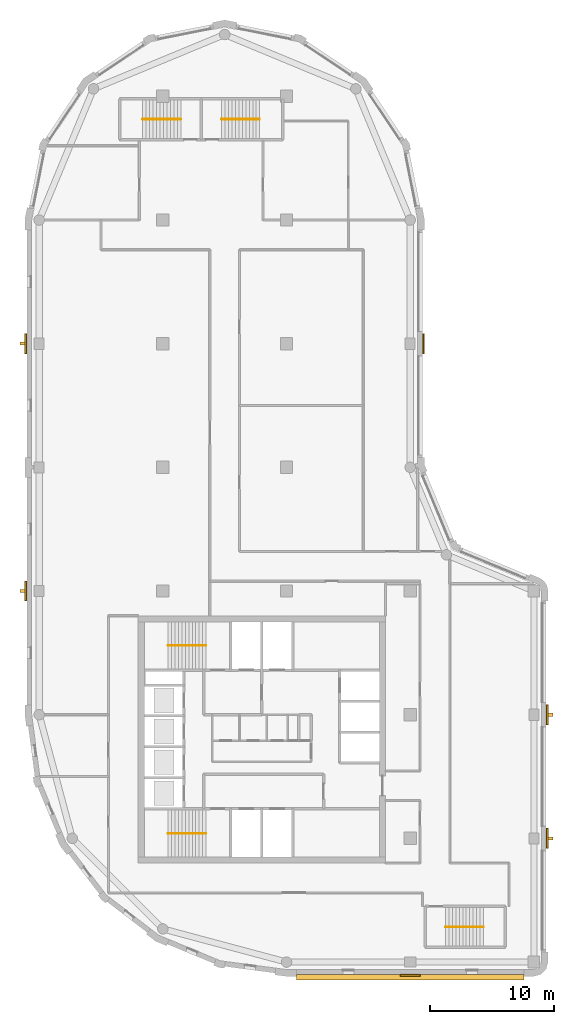
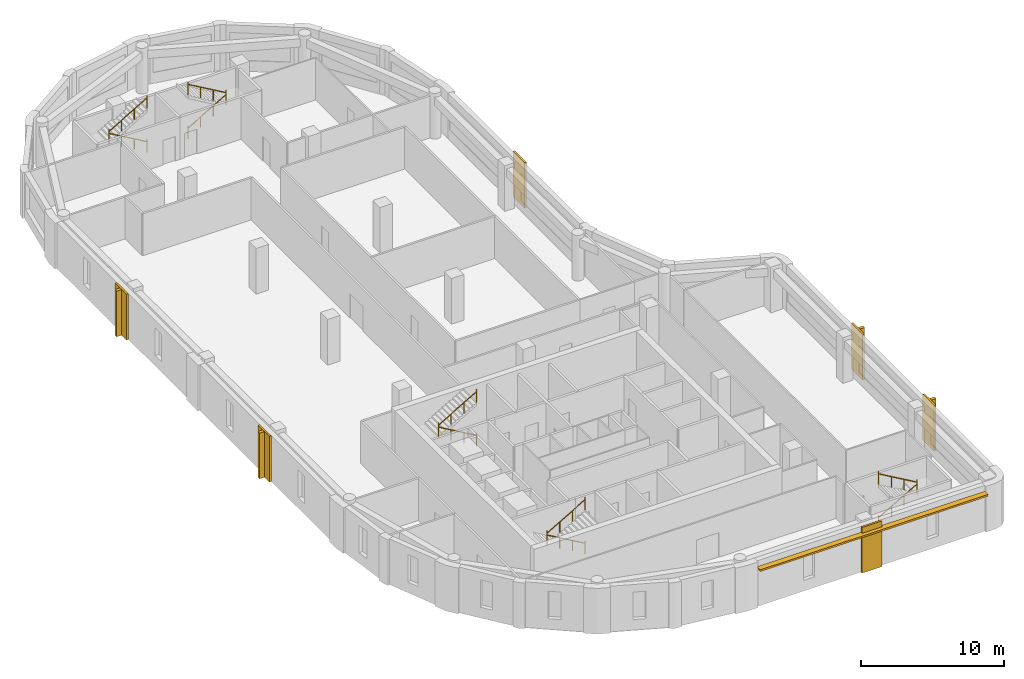
# One storey, part 7 of 8: 10 railings, 6 coverings, 5 shading devices.
"""IFC4 building model written with IfcOpenShell, lengths in metres."""

from ifc_helpers import new_model, si_unit, direction, frame, origin, origin_2d, place, context, subcontext, project, spatial, polyline, rectangle, circle, outline, extrude, material, layer, layer_set, type_object, element, save


model = new_model("IFC4")

# Units and contexts
model_context = context("Model", 3, precision=1e-05, world=origin(), true_north=direction((0.0, 1.0)))
body_context = subcontext(model_context, "Body", "Model", "MODEL_VIEW")
ifc_project = project(units=[si_unit("LENGTHUNIT", "METRE"), si_unit("AREAUNIT", "SQUARE_METRE"), si_unit("VOLUMEUNIT", "CUBIC_METRE"), si_unit("PLANEANGLEUNIT", "RADIAN"), si_unit("MASSUNIT", "GRAM", prefix="KILO")], contexts=[model_context])

# Site, building, storey
site_placement = place(None, origin())
site = spatial("IfcSite", under=ifc_project, at=site_placement, CompositionType="ELEMENT")
building_placement = place(site_placement, origin())
building = spatial("IfcBuilding", under=site, at=building_placement, Name="Qaws Garden Tower", CompositionType="ELEMENT")
storey_placement = place(building_placement, frame((0.0, 0.0, 345.0)))
storey = spatial("IfcBuildingStorey", under=building, at=storey_placement, Name="L84", CompositionType="ELEMENT", Elevation=345.0)

# Coverings
ifc_material_1 = material(Name="Clay facing brick masonry", Category="masonry")
ifc_layer_1 = layer(ifc_material_1, 0.14990234375)
ifc_layer_set_1 = layer_set([ifc_layer_1], Name="Clay facing brick masonry")
covering_type = type_object("IfcCoveringType", Name="Brick pilaster facing 150 x 1600", PredefinedType="CLADDING", material=ifc_layer_set_1)
placement = place(storey_placement, origin())
element("IfcCovering", 1, at=placement, inside=storey, type_object=covering_type, Name="E-L84-pier-01", PredefinedType="CLADDING", context=body_context, shape_type="SweptSolid", body=[
    extrude(outline(polyline([(29.199951171875, -1.0), (30.800048828125, -1.0), (30.800048828125, -1.14990234375), (29.199951171875, -1.14990234375), (29.199951171875, -1.0)])), origin(), (0.0, 0.0, 1.0), 3.89990234375),
])
element("IfcCovering", 2, at=placement, inside=storey, type_object=covering_type, Name="E-L84-pier-03", PredefinedType="CLADDING", context=body_context, shape_type="SweptSolid", body=[
    extrude(outline(polyline([(41.0, 9.199951171875), (41.0, 10.800048828125), (41.14990234375, 10.800048828125), (41.14990234375, 9.199951171875), (41.0, 9.199951171875)])), origin(), (0.0, 0.0, 1.0), 3.89990234375),
])
element("IfcCovering", 3, at=placement, inside=storey, type_object=covering_type, Name="E-L84-pier-04", PredefinedType="CLADDING", context=body_context, shape_type="SweptSolid", body=[
    extrude(outline(polyline([(41.0, 19.199951171875), (41.0, 20.800048828125), (41.14990234375, 20.800048828125), (41.14990234375, 19.199951171875), (41.0, 19.199951171875)])), origin(), (0.0, 0.0, 1.0), 3.89990234375),
])
element("IfcCovering", 4, at=placement, inside=storey, type_object=covering_type, Name="E-L84-pier-08", PredefinedType="CLADDING", context=body_context, shape_type="SweptSolid", body=[
    extrude(outline(polyline([(31.0, 49.199951171875), (31.0, 50.800048828125), (31.14990234375, 50.800048828125), (31.14990234375, 49.199951171875), (31.0, 49.199951171875)])), origin(), (0.0, 0.0, 1.0), 3.89990234375),
])
element("IfcCovering", 5, at=placement, inside=storey, type_object=covering_type, Name="E-L84-pier-18", PredefinedType="CLADDING", context=body_context, shape_type="SweptSolid", body=[
    extrude(outline(polyline([(-1.0, 50.800048828125), (-1.0, 49.199951171875), (-1.14990234375, 49.199951171875), (-1.14990234375, 50.800048828125), (-1.0, 50.800048828125)])), origin(), (0.0, 0.0, 1.0), 3.89990234375),
])
element("IfcCovering", 6, at=placement, inside=storey, type_object=covering_type, Name="E-L84-pier-20", PredefinedType="CLADDING", context=body_context, shape_type="SweptSolid", body=[
    extrude(outline(polyline([(-1.0, 30.800048828125), (-1.0, 29.199951171875), (-1.14990234375, 29.199951171875), (-1.14990234375, 30.800048828125), (-1.0, 30.800048828125)])), origin(), (0.0, 0.0, 1.0), 3.89990234375),
])

# Shading devices
ifc_material_2 = material(Name="Clay facing brick masonry", Category="masonry")
ifc_layer_2 = layer(ifc_material_2, 0.14990234375)
ifc_layer_set_2 = layer_set([ifc_layer_2], Name="Clay facing brick masonry")
shading_device_type_1 = type_object("IfcShadingDeviceType", Name="Brick sunshade band 450 x 150", PredefinedType="JALOUSIE", material=ifc_layer_set_2)
shading_device_placement = place(storey_placement, frame((0.0, 0.0, 3.25)))
element("IfcShadingDevice", 7, at=shading_device_placement, inside=storey, type_object=shading_device_type_1, Name="SUNSHADE 00", PredefinedType="JALOUSIE", context=body_context, shape_type="SweptSolid", body=[
    extrude(outline(polyline([(20.800048828125, -1.0), (20.800048828125, -1.449951171875), (39.199951171875, -1.449951171875), (39.199951171875, -1.0), (30.800048828125, -1.0), (30.800048828125, -1.14990234375), (29.199951171875, -1.14990234375), (29.199951171875, -1.0), (20.800048828125, -1.0)])), origin(), (0.0, 0.0, 1.0), 0.14990234375),
])
ifc_material_3 = material(Name="Clay facing brick masonry", Category="masonry")
ifc_layer_3 = layer(ifc_material_3, 0.25)
ifc_layer_set_3 = layer_set([ifc_layer_3], Name="Clay facing brick masonry")
shading_device_type_2 = type_object("IfcShadingDeviceType", Name="Brick-faced fin 250 x 400", PredefinedType="USERDEFINED", material=ifc_layer_set_3)
for number, where, z_axis, x_axis, name in (
    (8, (41.35009765625, 10.0, 0.0), (0.0, 0.0, 1.0), (0.0, 1.0, 0.0), "FIN 03"),
    (9, (41.35009765625, 20.0, 0.0), (0.0, 0.0, 1.0), (0.0, 1.0, 0.0), "FIN 04"),
    (10, (-1.35009765625, 50.0, 0.0), (0.0, 0.0, 1.0), (0.0, -1.0, 0.0), "FIN 18"),
    (11, (-1.35009765625, 30.0, 0.0), (0.0, 0.0, 1.0), (0.0, -1.0, 0.0), "FIN 20"),
):
    element("IfcShadingDevice", number, at=place(storey_placement, frame(where, z_axis=z_axis, x_axis=x_axis)), inside=storey, type_object=shading_device_type_2, Name=name, ObjectType="FIN", PredefinedType="USERDEFINED", context=body_context, shape_type="SweptSolid", body=[
        extrude(rectangle(XDim=0.25, YDim=0.39990234375, at=origin_2d()), origin(), (0.0, 0.0, 1.0), 3.89990234375),
    ])

# Railings
ifc_material_4 = material(Name="Steel S355", Category="steel")
railing_type = type_object("IfcRailingType", Name="Stair handrail 900", PredefinedType="HANDRAIL", material=ifc_material_4)
railing_1_placement = place(storey_placement, frame((13.5, 10.39990234375, 0.16259765625)))
element("IfcRailing", 12, at=railing_1_placement, inside=storey, type_object=railing_type, Name="Stair 1 handrail", PredefinedType="HANDRAIL", context=body_context, shape_type="SweptSolid", body=[
    extrude(circle(Radius=0.02392578125, at=origin_2d()), frame((0.0, 0.0, 0.8759765625), z_axis=(-0.864920483161, 0.0, 0.501908913857), x_axis=(0.0, -1.0, 0.0)), (0.0, 0.0, 1.0), 3.56103515625),
    extrude(circle(Radius=0.02099609375, at=origin_2d()), origin(), (0.0, 0.0, 1.0), 1.06201171875),
    extrude(circle(Radius=0.02099609375, at=origin_2d()), frame((-1.026611328125, 0.0, 0.595703125)), (0.0, 0.0, 1.0), 0.851806640625),
    extrude(circle(Radius=0.02099609375, at=origin_2d()), frame((-2.053466796875, 0.0, 1.191650390625)), (0.0, 0.0, 1.0), 0.851806640625),
    extrude(circle(Radius=0.02099609375, at=origin_2d()), frame((-3.080078125, 0.0, 1.787353515625)), (0.0, 0.0, 1.0), 1.06201171875),
])
railing_2_placement = place(storey_placement, frame((10.419921875, 10.39990234375, 2.112548828125)))
element("IfcRailing", 13, at=railing_2_placement, inside=storey, type_object=railing_type, Name="Stair 1 handrail", PredefinedType="HANDRAIL", context=body_context, shape_type="SweptSolid", body=[
    extrude(circle(Radius=0.02392578125, at=origin_2d()), frame((0.0, 0.0, 0.8759765625), z_axis=(0.864920483161, 0.0, 0.501908913857), x_axis=(0.0, 1.0, 0.0)), (0.0, 0.0, 1.0), 3.56103515625),
    extrude(circle(Radius=0.02099609375, at=origin_2d()), origin(), (0.0, 0.0, 1.0), 1.06201171875),
    extrude(circle(Radius=0.02099609375, at=origin_2d()), frame((1.026611328125, 0.0, 0.595703125)), (0.0, 0.0, 1.0), 0.851806640625),
    extrude(circle(Radius=0.02099609375, at=origin_2d()), frame((2.053466796875, 0.0, 1.191650390625)), (0.0, 0.0, 1.0), 0.851806640625),
    extrude(circle(Radius=0.02099609375, at=origin_2d()), frame((3.080078125, 0.0, 1.787353515625)), (0.0, 0.0, 1.0), 1.06201171875),
])
railing_3_placement = place(storey_placement, frame((13.5, 25.60009765625, 0.16259765625)))
element("IfcRailing", 14, at=railing_3_placement, inside=storey, type_object=railing_type, Name="Stair 4 handrail", PredefinedType="HANDRAIL", context=body_context, shape_type="SweptSolid", body=[
    extrude(circle(Radius=0.02392578125, at=origin_2d()), frame((0.0, 0.0, 0.8759765625), z_axis=(-0.864920483161, 0.0, 0.501908913857), x_axis=(0.0, -1.0, 0.0)), (0.0, 0.0, 1.0), 3.56103515625),
    extrude(circle(Radius=0.02099609375, at=origin_2d()), origin(), (0.0, 0.0, 1.0), 1.06201171875),
    extrude(circle(Radius=0.02099609375, at=origin_2d()), frame((-1.026611328125, 0.0, 0.595703125)), (0.0, 0.0, 1.0), 0.851806640625),
    extrude(circle(Radius=0.02099609375, at=origin_2d()), frame((-2.053466796875, 0.0, 1.191650390625)), (0.0, 0.0, 1.0), 0.851806640625),
    extrude(circle(Radius=0.02099609375, at=origin_2d()), frame((-3.080078125, 0.0, 1.787353515625)), (0.0, 0.0, 1.0), 1.06201171875),
])
railing_4_placement = place(storey_placement, frame((10.419921875, 25.60009765625, 2.112548828125)))
element("IfcRailing", 15, at=railing_4_placement, inside=storey, type_object=railing_type, Name="Stair 4 handrail", PredefinedType="HANDRAIL", context=body_context, shape_type="SweptSolid", body=[
    extrude(circle(Radius=0.02392578125, at=origin_2d()), frame((0.0, 0.0, 0.8759765625), z_axis=(0.864920483161, 0.0, 0.501908913857), x_axis=(0.0, 1.0, 0.0)), (0.0, 0.0, 1.0), 3.56103515625),
    extrude(circle(Radius=0.02099609375, at=origin_2d()), origin(), (0.0, 0.0, 1.0), 1.06201171875),
    extrude(circle(Radius=0.02099609375, at=origin_2d()), frame((1.026611328125, 0.0, 0.595703125)), (0.0, 0.0, 1.0), 0.851806640625),
    extrude(circle(Radius=0.02099609375, at=origin_2d()), frame((2.053466796875, 0.0, 1.191650390625)), (0.0, 0.0, 1.0), 0.851806640625),
    extrude(circle(Radius=0.02099609375, at=origin_2d()), frame((3.080078125, 0.0, 1.787353515625)), (0.0, 0.0, 1.0), 1.06201171875),
])
railing_5_placement = place(storey_placement, frame((32.85009765625, 2.85009765625, 0.16259765625)))
element("IfcRailing", 16, at=railing_5_placement, inside=storey, type_object=railing_type, Name="Stair 5 handrail", PredefinedType="HANDRAIL", context=body_context, shape_type="SweptSolid", body=[
    extrude(circle(Radius=0.02392578125, at=origin_2d()), frame((0.0, 0.0, 0.8759765625), z_axis=(0.864903211148, 0.0, 0.501938676878), x_axis=(0.0, 1.0, 0.0)), (0.0, 0.0, 1.0), 3.560791015625),
    extrude(circle(Radius=0.02099609375, at=origin_2d()), origin(), (0.0, 0.0, 1.0), 1.06201171875),
    extrude(circle(Radius=0.02099609375, at=origin_2d()), frame((1.026611328125, 0.0, 0.595703125)), (0.0, 0.0, 1.0), 0.851806640625),
    extrude(circle(Radius=0.02099609375, at=origin_2d()), frame((2.05322265625, 0.0, 1.191650390625)), (0.0, 0.0, 1.0), 0.851806640625),
    extrude(circle(Radius=0.02099609375, at=origin_2d()), frame((3.079833984375, 0.0, 1.787353515625)), (0.0, 0.0, 1.0), 1.06201171875),
])
for number, where, name in (
    (17, (35.929931640625, 2.85009765625, 2.112548828125), "Stair 5 handrail"),
    (18, (11.449951171875, 68.14990234375, 0.16259765625), "Stair 6 handrail"),
):
    element("IfcRailing", number, at=place(storey_placement, frame(where)), inside=storey, type_object=railing_type, Name=name, PredefinedType="HANDRAIL", context=body_context, shape_type="SweptSolid", body=[
        extrude(circle(Radius=0.02392578125, at=origin_2d()), frame((0.0, 0.0, 0.8759765625), z_axis=(-0.864903211148, 0.0, 0.501938676878), x_axis=(0.0, -1.0, 0.0)), (0.0, 0.0, 1.0), 3.560791015625),
        extrude(circle(Radius=0.02099609375, at=origin_2d()), origin(), (0.0, 0.0, 1.0), 1.06201171875),
        extrude(circle(Radius=0.02099609375, at=origin_2d()), frame((-1.026611328125, 0.0, 0.595703125)), (0.0, 0.0, 1.0), 0.851806640625),
        extrude(circle(Radius=0.02099609375, at=origin_2d()), frame((-2.05322265625, 0.0, 1.191650390625)), (0.0, 0.0, 1.0), 0.851806640625),
        extrude(circle(Radius=0.02099609375, at=origin_2d()), frame((-3.079833984375, 0.0, 1.787353515625)), (0.0, 0.0, 1.0), 1.06201171875),
    ])
railing_6_placement = place(storey_placement, frame((8.3701171875, 68.14990234375, 2.112548828125)))
element("IfcRailing", 19, at=railing_6_placement, inside=storey, type_object=railing_type, Name="Stair 6 handrail", PredefinedType="HANDRAIL", context=body_context, shape_type="SweptSolid", body=[
    extrude(circle(Radius=0.02392578125, at=origin_2d()), frame((0.0, 0.0, 0.8759765625), z_axis=(0.864903211148, 0.0, 0.501938676878), x_axis=(0.0, 1.0, 0.0)), (0.0, 0.0, 1.0), 3.560791015625),
    extrude(circle(Radius=0.02099609375, at=origin_2d()), origin(), (0.0, 0.0, 1.0), 1.06201171875),
    extrude(circle(Radius=0.02099609375, at=origin_2d()), frame((1.026611328125, 0.0, 0.595703125)), (0.0, 0.0, 1.0), 0.851806640625),
    extrude(circle(Radius=0.02099609375, at=origin_2d()), frame((2.05322265625, 0.0, 1.191650390625)), (0.0, 0.0, 1.0), 0.851806640625),
    extrude(circle(Radius=0.02099609375, at=origin_2d()), frame((3.079833984375, 0.0, 1.787353515625)), (0.0, 0.0, 1.0), 1.06201171875),
])
railing_7_placement = place(storey_placement, frame((14.75, 68.14990234375, 0.16259765625)))
element("IfcRailing", 20, at=railing_7_placement, inside=storey, type_object=railing_type, Name="Stair 7 handrail", PredefinedType="HANDRAIL", context=body_context, shape_type="SweptSolid", body=[
    extrude(circle(Radius=0.02392578125, at=origin_2d()), frame((0.0, 0.0, 0.8759765625), z_axis=(0.864920483161, 0.0, 0.501908913857), x_axis=(0.0, 1.0, 0.0)), (0.0, 0.0, 1.0), 3.56103515625),
    extrude(circle(Radius=0.02099609375, at=origin_2d()), origin(), (0.0, 0.0, 1.0), 1.06201171875),
    extrude(circle(Radius=0.02099609375, at=origin_2d()), frame((1.026611328125, 0.0, 0.595703125)), (0.0, 0.0, 1.0), 0.851806640625),
    extrude(circle(Radius=0.02099609375, at=origin_2d()), frame((2.053466796875, 0.0, 1.191650390625)), (0.0, 0.0, 1.0), 0.851806640625),
    extrude(circle(Radius=0.02099609375, at=origin_2d()), frame((3.080078125, 0.0, 1.787353515625)), (0.0, 0.0, 1.0), 1.06201171875),
])
railing_8_placement = place(storey_placement, frame((17.830078125, 68.14990234375, 2.112548828125)))
element("IfcRailing", 21, at=railing_8_placement, inside=storey, type_object=railing_type, Name="Stair 7 handrail", PredefinedType="HANDRAIL", context=body_context, shape_type="SweptSolid", body=[
    extrude(circle(Radius=0.02392578125, at=origin_2d()), frame((0.0, 0.0, 0.8759765625), z_axis=(-0.864920483161, 0.0, 0.501908913857), x_axis=(0.0, -1.0, 0.0)), (0.0, 0.0, 1.0), 3.56103515625),
    extrude(circle(Radius=0.02099609375, at=origin_2d()), origin(), (0.0, 0.0, 1.0), 1.06201171875),
    extrude(circle(Radius=0.02099609375, at=origin_2d()), frame((-1.026611328125, 0.0, 0.595703125)), (0.0, 0.0, 1.0), 0.851806640625),
    extrude(circle(Radius=0.02099609375, at=origin_2d()), frame((-2.053466796875, 0.0, 1.191650390625)), (0.0, 0.0, 1.0), 0.851806640625),
    extrude(circle(Radius=0.02099609375, at=origin_2d()), frame((-3.080078125, 0.0, 1.787353515625)), (0.0, 0.0, 1.0), 1.06201171875),
])

save(model, "model.ifc")
